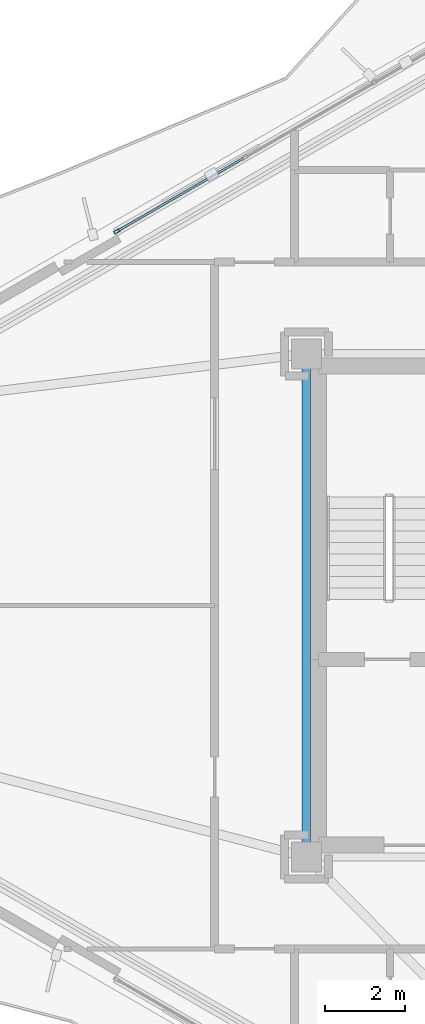
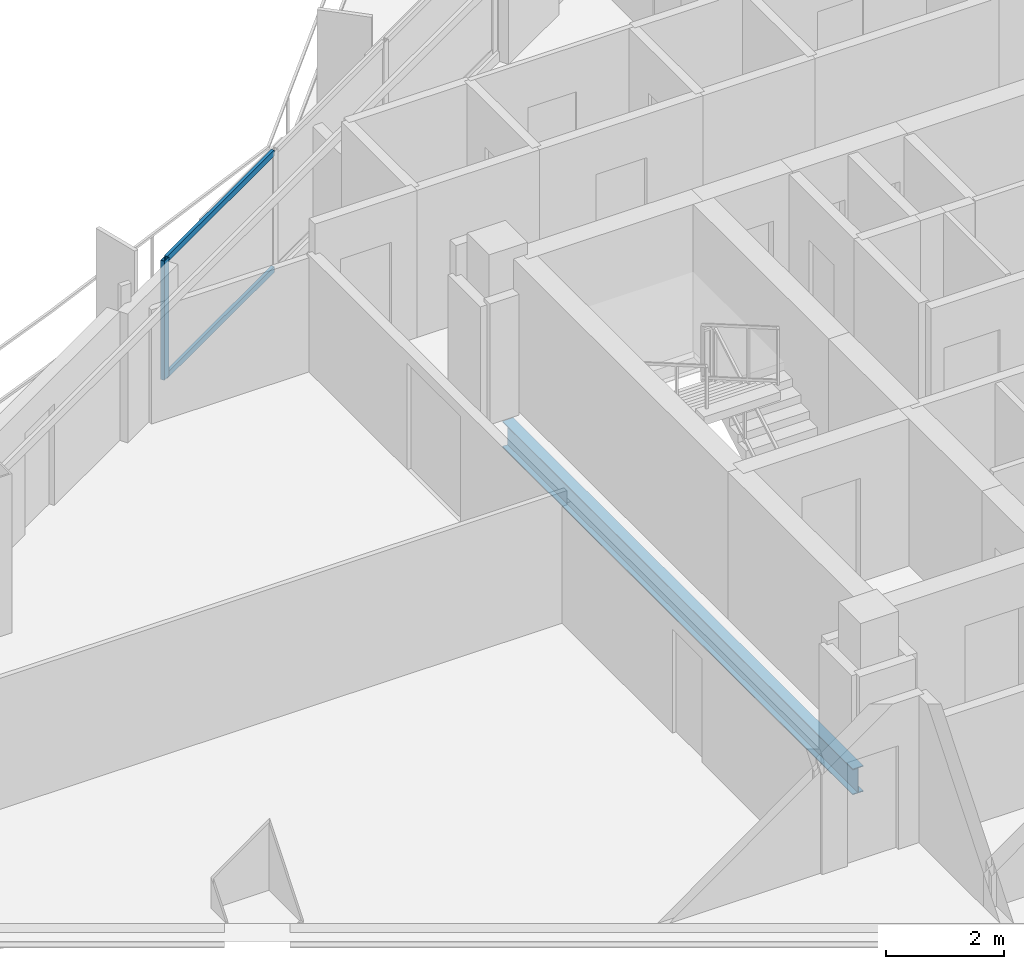
# One storey, part 6 of 22: 3 members, 1 beam, 1 element without a shape of its own.
"""IFC4 building model written with IfcOpenShell, lengths in metres."""

from ifc_helpers import new_model, si_unit, direction, frame, origin, origin_2d, place, context, subcontext, project, spatial, hollow_rectangle, i_section, extrude, material, layer, layer_set, material_profile, profile_set, type_object, element, aggregate, save


model = new_model("IFC4")

# Units and contexts
model_context = context("Model", 3, precision=1e-05, world=origin(), true_north=direction((0.0, 1.0)))
body_context = subcontext(model_context, "Body", "Model", "MODEL_VIEW")
ifc_project = project(units=[si_unit("LENGTHUNIT", "METRE"), si_unit("AREAUNIT", "SQUARE_METRE"), si_unit("VOLUMEUNIT", "CUBIC_METRE"), si_unit("PLANEANGLEUNIT", "RADIAN"), si_unit("MASSUNIT", "GRAM", prefix="KILO")], contexts=[model_context])

# Site, building, storey
site_placement = place(None, origin())
site = spatial("IfcSite", under=ifc_project, at=site_placement, CompositionType="ELEMENT")
building_placement = place(site_placement, origin())
building = spatial("IfcBuilding", under=site, at=building_placement, Name="Mersakhor Tower and Convention Hall", CompositionType="ELEMENT")
storey_placement = place(building_placement, frame((0.0, 0.0, 109.800048828125)))
storey = spatial("IfcBuildingStorey", under=building, at=storey_placement, Name="L30", CompositionType="ELEMENT", Elevation=109.800048828125)

# Beam
ifc_material_1 = material(Name="Steel S355", Category="steel")
ifc_material_profile_1 = material_profile(ifc_material_1, i_section(OverallWidth=0.2099609375, OverallDepth=0.53662109375, WebThickness=0.0107421875, FlangeThickness=0.017333984375, at=origin_2d()), Name="UB 533x210x101")
ifc_profile_set_1 = profile_set([ifc_material_profile_1], Name="Steel S355")
beam_type = type_object("IfcBeamType", Name="BM-FB-533", PredefinedType="BEAM", material=ifc_profile_set_1)
beam_placement = place(storey_placement, frame((21.89990234375, 20.804931640625, -0.5185546875), z_axis=(0.0, 1.0, 0.0), x_axis=(-1.0, 0.0, 0.0)))
element("IfcBeam", 1, at=beam_placement, inside=storey, type_object=beam_type, Name="L30 Core Ring Tie Beam CRB-1", PredefinedType="BEAM", context=body_context, shape_type="SweptSolid", body=[
    extrude(i_section(OverallWidth=0.2099609375, OverallDepth=0.53662109375, WebThickness=0.0107421875, FlangeThickness=0.017333984375, at=origin_2d()), origin(), (0.0, 0.0, 1.0), 11.89013671875),
])

# Curtain wall, members
ifc_material_2 = material(Name="Dark solar low-E aluminium curtain wall", Category="aluminium")
ifc_layer = layer(ifc_material_2, 0.159912109375)
ifc_layer_set = layer_set([ifc_layer], Name="Dark solar low-E aluminium curtain wall")
curtain_wall_type = type_object("IfcCurtainWallType", Name="CW-SYS-01", PredefinedType="USERDEFINED", material=ifc_layer_set)
curtain_wall_placement = place(storey_placement, origin())
curtain_wall = element("IfcCurtainWall", 2, at=curtain_wall_placement, inside=storey, type_object=curtain_wall_type, Name="L30 Dark-Glass Curtain Wall F1-B2", ObjectType="CURTAIN WALL", PredefinedType="USERDEFINED")
ifc_material_3 = material(Name="Anodised aluminium EN AW-6063 T6", Category="aluminium")
ifc_material_profile_2 = material_profile(ifc_material_3, hollow_rectangle(XDim=0.074951171875, YDim=0.14990234375, WallThickness=0.00634765625, at=origin_2d()), Name="RHS 150x75x6.3")
ifc_profile_set_2 = profile_set([ifc_material_profile_2], Name="Anodised aluminium EN AW-6063 T6")
member_type_1 = type_object("IfcMemberType", Name="CWM-150x75", PredefinedType="MULLION", material=ifc_profile_set_2)
member_1_placement = place(storey_placement, frame((17.152587890625, 36.11572265625, 0.199951171875), z_axis=(0.0, 0.0, 1.0), x_axis=(-0.499997904985, 0.866026613339, 0.0)))
member_1 = element("IfcMember", 3, at=member_1_placement, type_object=member_type_1, Name="CW-01 mullion 1", PredefinedType="MULLION", context=body_context, shape_type="SweptSolid", body=[
    extrude(hollow_rectangle(XDim=0.074951171875, YDim=0.14990234375, WallThickness=0.00634765625, at=origin_2d()), origin(), (0.0, 0.0, 1.0), 2.469970703125),
])
ifc_material_4 = material(Name="Anodised aluminium EN AW-6063 T6", Category="aluminium")
ifc_material_profile_3 = material_profile(ifc_material_4, hollow_rectangle(XDim=0.06005859375, YDim=0.1201171875, WallThickness=0.0048828125, at=origin_2d()), Name="RHS 120x60x5")
ifc_profile_set_3 = profile_set([ifc_material_profile_3], Name="Anodised aluminium EN AW-6063 T6")
member_type_2 = type_object("IfcMemberType", Name="CWT-120x60", PredefinedType="USERDEFINED", material=ifc_profile_set_3)
member_2_placement = place(storey_placement, frame((17.18505859375, 36.134521484375, 0.22998046875), z_axis=(0.866045614266, 0.499964992784, 0.0), x_axis=(-0.499964992784, 0.866045614266, 0.0)))
member_2 = element("IfcMember", 4, at=member_2_placement, type_object=member_type_2, Name="CW-01 transom 1.1", ObjectType="TRANSOM", PredefinedType="USERDEFINED", context=body_context, shape_type="SweptSolid", body=[
    extrude(hollow_rectangle(XDim=0.06005859375, YDim=0.1201171875, WallThickness=0.0048828125, at=origin_2d()), origin(), (0.0, 0.0, 1.0), 3.630615234375),
])
member_3_placement = place(storey_placement, frame((17.18505859375, 36.134521484375, 2.639892578125), z_axis=(0.866045614266, 0.499964992784, 0.0), x_axis=(-0.499964992784, 0.866045614266, 0.0)))
member_3 = element("IfcMember", 5, at=member_3_placement, type_object=member_type_2, Name="CW-01 transom 1.2", ObjectType="TRANSOM", PredefinedType="USERDEFINED", context=body_context, shape_type="SweptSolid", body=[
    extrude(hollow_rectangle(XDim=0.06005859375, YDim=0.1201171875, WallThickness=0.0048828125, at=origin_2d()), origin(), (0.0, 0.0, 1.0), 3.630615234375),
])
aggregate(curtain_wall, [member_1, member_2, member_3])

save(model, "model.ifc")
